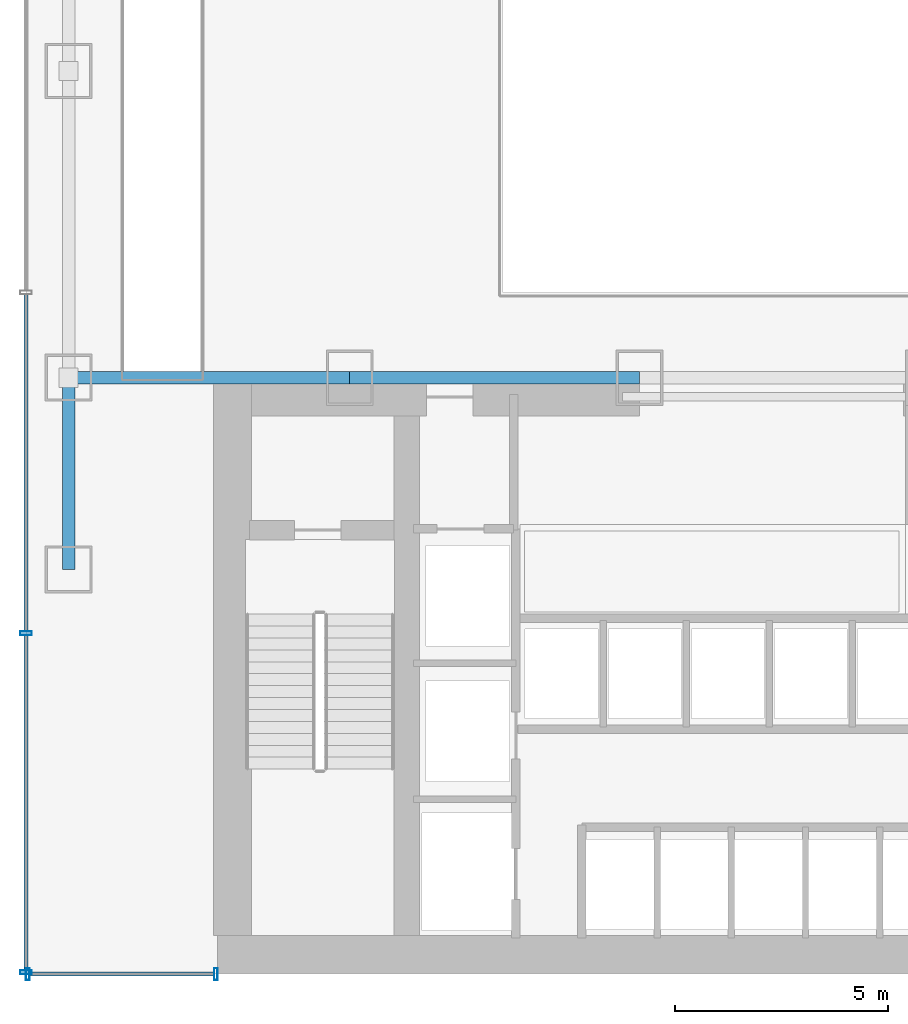
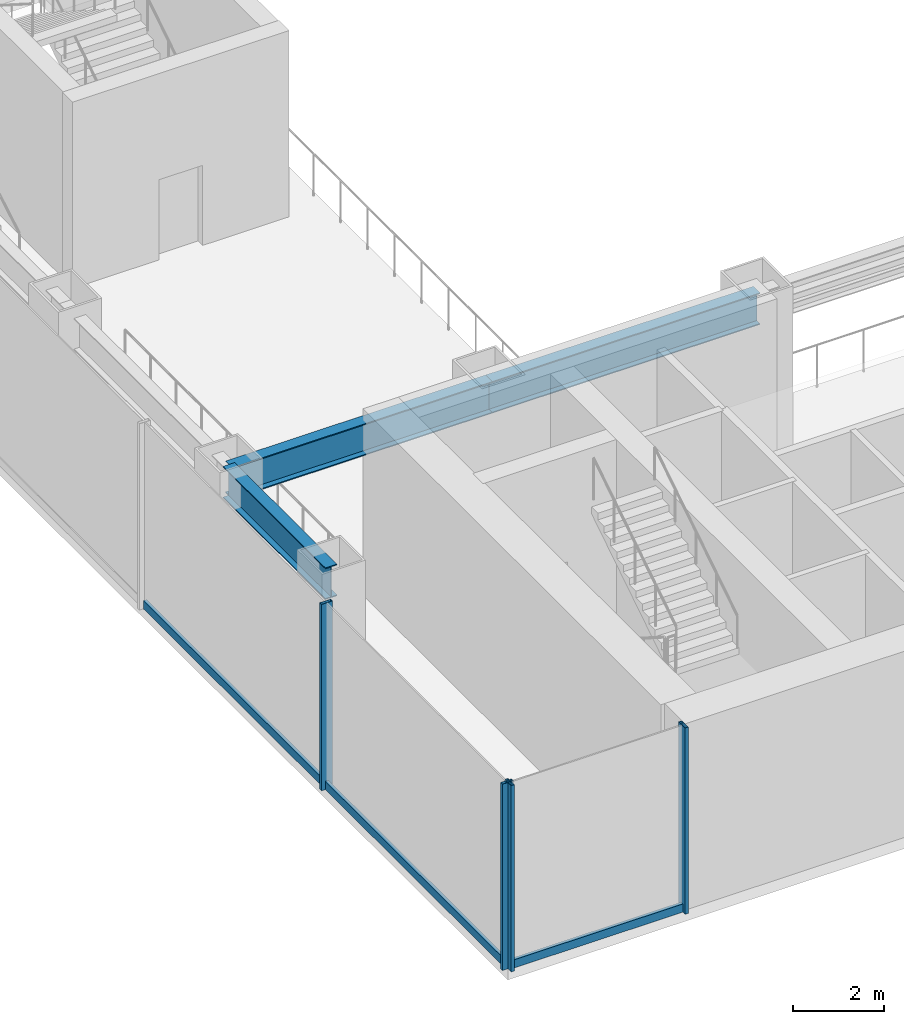
# One storey, part 6 of 40: 7 members, 3 beams, 2 elements without a shape of their own.
"""IFC4 building model written with IfcOpenShell, lengths in metres."""

from ifc_helpers import new_model, si_unit, derived_unit, direction, frame, origin, origin_2d, place, context, subcontext, project, spatial, hollow_rectangle, i_section, extrude, source, transform, mapped, material, material_profile, profile_set, type_object, element, aggregate, save


model = new_model("IFC4")

# Units and contexts
model_context = context("Model", 3, precision=1e-05, world=origin(), true_north=direction((0.0, 1.0)))
body_context = subcontext(model_context, "Body", "Model", "MODEL_VIEW")
ifc_project = project(units=[si_unit("LENGTHUNIT", "METRE"), si_unit("AREAUNIT", "SQUARE_METRE"), si_unit("VOLUMEUNIT", "CUBIC_METRE"), si_unit("PLANEANGLEUNIT", "RADIAN"), si_unit("MASSUNIT", "GRAM", prefix="KILO"), derived_unit("THERMALTRANSMITTANCEUNIT", [(si_unit("POWERUNIT", "WATT"), 1), (si_unit("LENGTHUNIT", "METRE"), -2), (si_unit("THERMODYNAMICTEMPERATUREUNIT", "KELVIN"), -1)])], contexts=[model_context])

# Site, building, storey
site_placement = place(None, origin())
site = spatial("IfcSite", under=ifc_project, at=site_placement, CompositionType="ELEMENT")
building_placement = place(site_placement, origin())
building = spatial("IfcBuilding", under=site, at=building_placement, Name="Skarnbrae Concourse Arena and Tower", CompositionType="ELEMENT")
storey_placement = place(building_placement, frame((0.0, 0.0, 6.0)))
storey = spatial("IfcBuildingStorey", under=building, at=storey_placement, Name="L01", CompositionType="ELEMENT", Elevation=6.0)

# Beams
ifc_material_1 = material(Name="Steel CSA G40.21 350W", Category="steel")
ifc_material_profile_1 = material_profile(ifc_material_1, i_section(OverallWidth=0.2939453125, OverallDepth=0.85107421875, WebThickness=0.01611328125, FlangeThickness=0.02685546875, at=origin_2d()), Name="W840X226")
ifc_profile_set_1 = profile_set([ifc_material_profile_1], Name="Steel CSA G40.21 350W")
beam_type = type_object("IfcBeamType", Name="BM-GIRD-W840X226", PredefinedType="BEAM", material=ifc_profile_set_1)
shared_shape_1 = source(origin(), body_context, "Body", "SweptSolid", [
    extrude(i_section(OverallWidth=0.2939453125, OverallDepth=0.85107421875, WebThickness=0.01611328125, FlangeThickness=0.02685546875, at=origin_2d()), origin(), (0.0, 0.0, 1.0), 6.60009765625),
])
beam_1_placement = place(storey_placement, frame((1.0, 14.0, 4.2744140625), z_axis=(1.0, 0.0, 0.0), x_axis=(0.0, 1.0, 0.0)))
element("IfcBeam", 1, at=beam_1_placement, inside=storey, type_object=beam_type, Name="L01 Podium south spine girder 1", PredefinedType="BEAM", context=body_context, shape_type="MappedRepresentation", body=[
    mapped(shared_shape_1, transform((0.0, 0.0, 0.0))),
])
shared_shape_2 = source(origin(), body_context, "Body", "SweptSolid", [
    extrude(i_section(OverallWidth=0.2939453125, OverallDepth=0.85107421875, WebThickness=0.01611328125, FlangeThickness=0.02685546875, at=origin_2d()), origin(), (0.0, 0.0, 1.0), 6.7998046875),
])
beam_2_placement = place(storey_placement, frame((7.60009765625, 14.0, 4.2744140625), z_axis=(1.0, 0.0, 0.0), x_axis=(0.0, 1.0, 0.0)))
element("IfcBeam", 2, at=beam_2_placement, inside=storey, type_object=beam_type, Name="L01 Podium south spine girder 2", PredefinedType="BEAM", context=body_context, shape_type="MappedRepresentation", body=[
    mapped(shared_shape_2, transform((0.0, 0.0, 0.0))),
])
shared_shape_3 = source(origin(), body_context, "Body", "SweptSolid", [
    extrude(i_section(OverallWidth=0.2939453125, OverallDepth=0.85107421875, WebThickness=0.01611328125, FlangeThickness=0.02685546875, at=origin_2d()), origin(), (0.0, 0.0, 1.0), 4.5),
])
beam_3_placement = place(storey_placement, frame((1.0, 9.5, 4.2744140625), z_axis=(0.0, 1.0, 0.0), x_axis=(-1.0, 0.0, 0.0)))
element("IfcBeam", 3, at=beam_3_placement, inside=storey, type_object=beam_type, Name="L01 Podium west girder 1", PredefinedType="BEAM", context=body_context, shape_type="MappedRepresentation", body=[
    mapped(shared_shape_3, transform((0.0, 0.0, 0.0))),
])

# Curtain wall, members
ifc_material_2 = material(Name="Bronze anodised aluminium 6063-T6", Category="aluminium")
curtain_wall_type = type_object("IfcCurtainWallType", Name="CW-SYS-01-PODIUM", PredefinedType="USERDEFINED", material=ifc_material_2)
curtain_wall_1_placement = place(storey_placement, origin())
curtain_wall_1 = element("IfcCurtainWall", 4, at=curtain_wall_1_placement, inside=storey, type_object=curtain_wall_type, Name="L01 Unitised curtain wall CW-L01-SW", ObjectType="UNITISED CURTAIN WALL", PredefinedType="USERDEFINED")
ifc_material_profile_2 = material_profile(ifc_material_2, hollow_rectangle(XDim=0.0849609375, YDim=0.280029296875, WallThickness=0.006103515625, at=origin_2d()), Name="ALU-MULL-85X280")
ifc_profile_set_2 = profile_set([ifc_material_profile_2], Name="Bronze anodised aluminium 6063-T6")
member_type_1 = type_object("IfcMemberType", Name="CWM-CW-01", PredefinedType="MULLION", material=ifc_profile_set_2)
shared_shape_4 = source(origin(), body_context, "Body", "SweptSolid", [
    extrude(hollow_rectangle(XDim=0.0849609375, YDim=0.280029296875, WallThickness=0.006103515625, at=origin_2d()), origin(), (0.0, 0.0, 1.0), 5.0),
])
member_1_placement = place(storey_placement, frame((0.04248046875, 0.0, 0.0), z_axis=(0.0, 0.0, 1.0), x_axis=(1.0, 0.0, 0.0)))
member_1 = element("IfcMember", 5, at=member_1_placement, type_object=member_type_1, Name="CW-L01-SW Mullion 1", PredefinedType="MULLION", context=body_context, shape_type="MappedRepresentation", body=[
    mapped(shared_shape_4, transform((0.0, 0.0, 0.0))),
])
member_2_placement = place(storey_placement, frame((4.45751953125, 0.0, 0.0), z_axis=(0.0, 0.0, 1.0), x_axis=(1.0, 0.0, 0.0)))
member_2 = element("IfcMember", 6, at=member_2_placement, type_object=member_type_1, Name="CW-L01-SW Mullion 2", PredefinedType="MULLION", context=body_context, shape_type="MappedRepresentation", body=[
    mapped(shared_shape_4, transform((0.0, 0.0, 0.0))),
])

curtain_wall_2_placement = place(storey_placement, origin())
curtain_wall_2 = element("IfcCurtainWall", 7, at=curtain_wall_2_placement, inside=storey, type_object=curtain_wall_type, Name="L01 Unitised curtain wall CW-L01-W", ObjectType="UNITISED CURTAIN WALL", PredefinedType="USERDEFINED")
member_3_placement = place(storey_placement, frame((0.0, 8.0, 0.0), z_axis=(0.0, 0.0, 1.0), x_axis=(0.0, -1.0, 0.0)))
member_3 = element("IfcMember", 8, at=member_3_placement, type_object=member_type_1, Name="CW-L01-W Mullion 7", PredefinedType="MULLION", context=body_context, shape_type="MappedRepresentation", body=[
    mapped(shared_shape_4, transform((0.0, 0.0, 0.0))),
])
member_4_placement = place(storey_placement, frame((0.0, 0.04248046875, 0.0), z_axis=(0.0, 0.0, 1.0), x_axis=(0.0, -1.0, 0.0)))
member_4 = element("IfcMember", 9, at=member_4_placement, type_object=member_type_1, Name="CW-L01-W Mullion 8", PredefinedType="MULLION", context=body_context, shape_type="MappedRepresentation", body=[
    mapped(shared_shape_4, transform((0.0, 0.0, 0.0))),
])
ifc_material_profile_3 = material_profile(ifc_material_2, hollow_rectangle(XDim=0.0849609375, YDim=0.219970703125, WallThickness=0.006103515625, at=origin_2d()), Name="ALU-TRAN-85X220")
ifc_profile_set_3 = profile_set([ifc_material_profile_3], Name="Bronze anodised aluminium 6063-T6")
member_type_2 = type_object("IfcMemberType", Name="CWT-CW-01", PredefinedType="USERDEFINED", material=ifc_profile_set_3)
shared_shape_5 = source(origin(), body_context, "Body", "SweptSolid", [
    extrude(hollow_rectangle(XDim=0.0849609375, YDim=0.219970703125, WallThickness=0.006103515625, at=origin_2d()), origin(), (0.0, 0.0, 1.0), 7.87255859375),
])
member_5_placement = place(storey_placement, frame((0.0, 7.95751953125, 0.110107421875), z_axis=(0.0, -1.0, 0.0), x_axis=(1.0, 0.0, 0.0)))
member_5 = element("IfcMember", 10, at=member_5_placement, type_object=member_type_2, Name="CW-L01-W Transom 7", ObjectType="TRANSOM", PredefinedType="USERDEFINED", context=body_context, shape_type="MappedRepresentation", body=[
    mapped(shared_shape_5, transform((0.0, 0.0, 0.0))),
])
shared_shape_6 = source(origin(), body_context, "Body", "SweptSolid", [
    extrude(hollow_rectangle(XDim=0.0849609375, YDim=0.219970703125, WallThickness=0.006103515625, at=origin_2d()), origin(), (0.0, 0.0, 1.0), 7.9150390625),
])
member_6_placement = place(storey_placement, frame((0.0, 15.95751953125, 0.110107421875), z_axis=(0.0, -1.0, 0.0), x_axis=(1.0, 0.0, 0.0)))
member_6 = element("IfcMember", 11, at=member_6_placement, type_object=member_type_2, Name="CW-L01-W Transom 6", ObjectType="TRANSOM", PredefinedType="USERDEFINED", context=body_context, shape_type="MappedRepresentation", body=[
    mapped(shared_shape_6, transform((0.0, 0.0, 0.0))),
])
aggregate(curtain_wall_2, [member_3, member_4, member_6, member_5])

# Member
shared_shape_7 = source(origin(), body_context, "Body", "SweptSolid", [
    extrude(hollow_rectangle(XDim=0.0849609375, YDim=0.219970703125, WallThickness=0.006103515625, at=origin_2d()), origin(), (0.0, 0.0, 1.0), 4.330078125),
])
member_7_placement = place(storey_placement, frame((0.0849609375, 0.0, 0.110107421875), z_axis=(1.0, 0.0, 0.0), x_axis=(0.0, 1.0, 0.0)))
member_7 = element("IfcMember", 12, at=member_7_placement, type_object=member_type_2, Name="CW-L01-SW Transom 1", ObjectType="TRANSOM", PredefinedType="USERDEFINED", context=body_context, shape_type="MappedRepresentation", body=[
    mapped(shared_shape_7, transform((0.0, 0.0, 0.0))),
])

aggregate(curtain_wall_1, [member_1, member_2, member_7])

save(model, "model.ifc")
